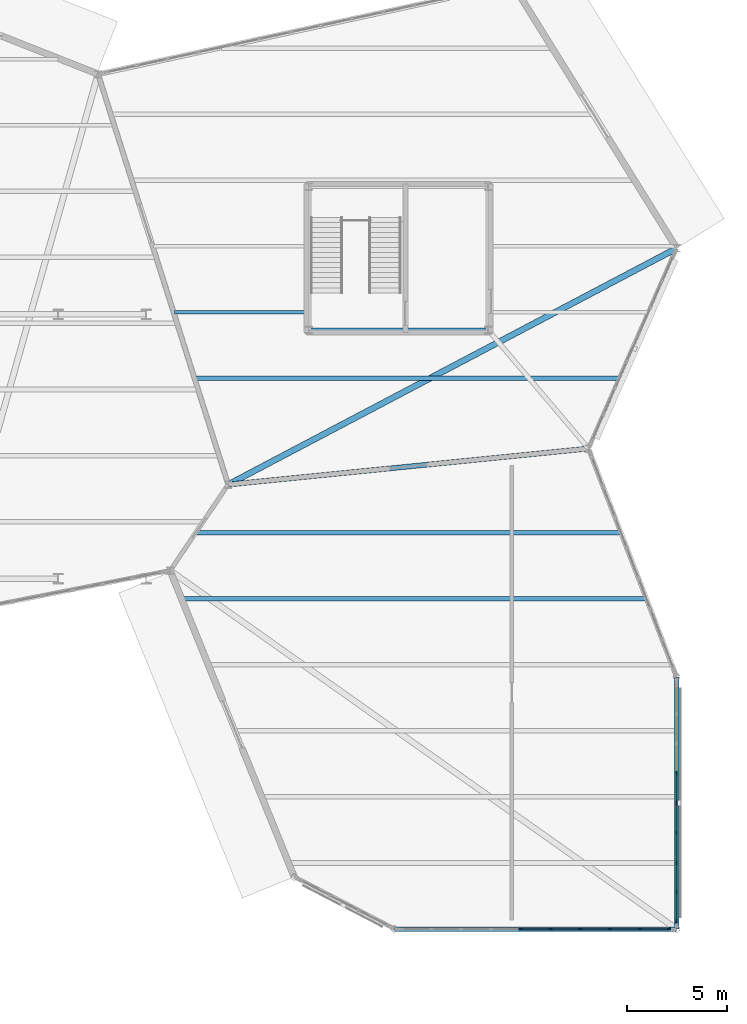
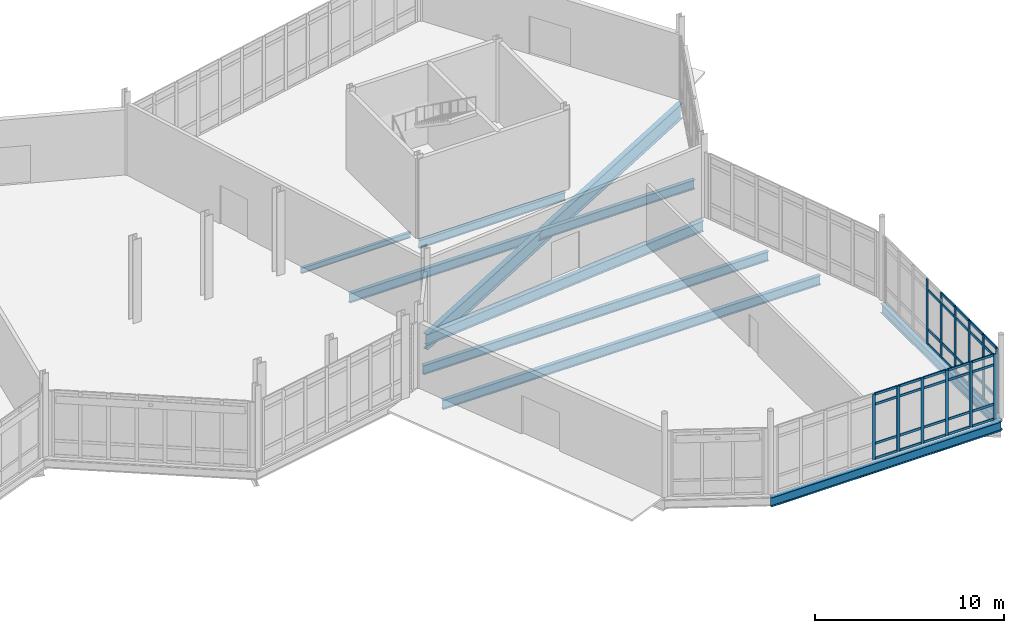
# One storey, part 56 of 113: 51 members, 9 beams, 2 elements without a shape of their own.
"""IFC4 building model written with IfcOpenShell, lengths in metres."""

from ifc_helpers import new_model, si_unit, direction, frame, origin, origin_2d, place, context, subcontext, project, spatial, rectangle, i_section, extrude, material, material_profile, profile_set, type_object, element, aggregate, save


model = new_model("IFC4")

# Units and contexts
model_context = context("Model", 3, precision=1e-05, world=origin(), true_north=direction((0.0, 1.0)))
body_context = subcontext(model_context, "Body", "Model", "MODEL_VIEW")
ifc_project = project(units=[si_unit("LENGTHUNIT", "METRE"), si_unit("AREAUNIT", "SQUARE_METRE"), si_unit("VOLUMEUNIT", "CUBIC_METRE"), si_unit("PLANEANGLEUNIT", "RADIAN"), si_unit("MASSUNIT", "GRAM", prefix="KILO")], contexts=[model_context])

# Site, building, storey
site_placement = place(None, origin())
site = spatial("IfcSite", under=ifc_project, at=site_placement, CompositionType="ELEMENT")
building_placement = place(site_placement, origin())
building = spatial("IfcBuilding", under=site, at=building_placement, Name="Tameran Prism Museum", CompositionType="ELEMENT")
storey_placement = place(building_placement, origin())
storey = spatial("IfcBuildingStorey", under=building, at=storey_placement, Name="L00", CompositionType="ELEMENT", Elevation=0.0)

# Beams
ifc_material_1 = material(Name="Steel Grade 300PLUS (300 MPa)", Category="steel")
ifc_material_profile_1 = material_profile(ifc_material_1, i_section(OverallWidth=0.1708984375, OverallDepth=0.35595703125, WebThickness=0.00732421875, FlangeThickness=0.011474609375, FilletRadius=0.011474609375, at=origin_2d()))
ifc_profile_set_1 = profile_set([ifc_material_profile_1])
beam_type_1 = type_object("IfcBeamType", Name="BM-J360B", PredefinedType="JOIST", material=ifc_profile_set_1)
beam_1_placement = place(storey_placement, frame((141.31494140625, 30.800048828125, -0.41796875), z_axis=(1.0, 0.0, 0.0), x_axis=(0.0, 1.0, 0.0)))
element("IfcBeam", 1, at=beam_1_placement, inside=storey, type_object=beam_type_1, Name="Floor Beam BM-0318", PredefinedType="JOIST", context=body_context, shape_type="SweptSolid", body=[
    extrude(i_section(OverallWidth=0.1708984375, OverallDepth=0.35595703125, WebThickness=0.00732421875, FlangeThickness=0.011474609375, FilletRadius=0.011474609375, at=origin_2d()), origin(), (0.0, 0.0, 1.0), 6.705078125),
])
ifc_material_2 = material(Name="Steel Grade 300PLUS (300 MPa)", Category="steel")
ifc_material_profile_2 = material_profile(ifc_material_2, i_section(OverallWidth=0.208984375, OverallDepth=0.528076171875, WebThickness=0.009521484375, FlangeThickness=0.01318359375, FilletRadius=0.013916015625, at=origin_2d()))
ifc_profile_set_2 = profile_set([ifc_material_profile_2])
beam_type_2 = type_object("IfcBeamType", Name="BM-SP530B", PredefinedType="SPANDREL", material=ifc_profile_set_2)
beam_2_placement = place(storey_placement, frame((148.02001953125, 29.919921875, -0.50390625), z_axis=(1.0, 0.0, 0.0), x_axis=(0.0, 1.0, 0.0)))
element("IfcBeam", 2, at=beam_2_placement, inside=storey, type_object=beam_type_2, Name="Core Ring Beam CTB-0150", PredefinedType="SPANDREL", context=body_context, shape_type="SweptSolid", body=[
    extrude(i_section(OverallWidth=0.208984375, OverallDepth=0.528076171875, WebThickness=0.009521484375, FlangeThickness=0.01318359375, FilletRadius=0.013916015625, at=origin_2d()), origin(), (0.0, 0.0, 1.0), 8.9599609375),
])
ifc_material_3 = material(Name="Steel Grade 300PLUS (300 MPa)", Category="steel")
ifc_material_profile_3 = material_profile(ifc_material_3, i_section(OverallWidth=0.22802734375, OverallDepth=0.60205078125, WebThickness=0.010498046875, FlangeThickness=0.014892578125, FilletRadius=0.013916015625, at=origin_2d()))
ifc_profile_set_3 = profile_set([ifc_material_profile_3])
beam_type_3 = type_object("IfcBeamType", Name="BM-SP610", PredefinedType="SPANDREL", material=ifc_profile_set_3)
beam_3_placement = place(storey_placement, frame((152.300048828125, 0.0, -0.541015625), z_axis=(1.0, 0.0, 0.0), x_axis=(0.0, 1.0, 0.0)))
element("IfcBeam", 3, at=beam_3_placement, inside=storey, type_object=beam_type_3, Name="Perimeter Spandrel SP-0050", PredefinedType="SPANDREL", context=body_context, shape_type="SweptSolid", body=[
    extrude(i_section(OverallWidth=0.22802734375, OverallDepth=0.60205078125, WebThickness=0.010498046875, FlangeThickness=0.014892578125, FilletRadius=0.013916015625, at=origin_2d()), origin(), (0.0, 0.0, 1.0), 14.099853515625),
])
beam_4_placement = place(storey_placement, frame((166.39990234375, 0.0, -0.541015625), z_axis=(0.0, 1.0, 0.0), x_axis=(-1.0, 0.0, 0.0)))
element("IfcBeam", 4, at=beam_4_placement, inside=storey, type_object=beam_type_3, Name="Perimeter Spandrel SP-0051", PredefinedType="SPANDREL", context=body_context, shape_type="SweptSolid", body=[
    extrude(i_section(OverallWidth=0.22802734375, OverallDepth=0.60205078125, WebThickness=0.010498046875, FlangeThickness=0.014892578125, FilletRadius=0.013916015625, at=origin_2d()), origin(), (0.0, 0.0, 1.0), 12.60009765625),
])
ifc_material_4 = material(Name="Steel Grade 350 (350 MPa)", Category="steel")
ifc_material_profile_4 = material_profile(ifc_material_4, i_section(OverallWidth=0.25, OverallDepth=0.699951171875, WebThickness=0.010009765625, FlangeThickness=0.02001953125, at=origin_2d()))
ifc_profile_set_4 = profile_set([ifc_material_profile_4])
beam_type_4 = type_object("IfcBeamType", Name="BM-SP700", PredefinedType="SPANDREL", material=ifc_profile_set_4)
beam_5_placement = place(storey_placement, frame((162.0, 24.0, -0.590087890625), z_axis=(-0.995036922958, -0.099506391506, 0.0), x_axis=(0.099506391506, -0.995036922958, 0.0)))
element("IfcBeam", 5, at=beam_5_placement, inside=storey, type_object=beam_type_4, Name="Perimeter Spandrel SP-0053", PredefinedType="SPANDREL", context=body_context, shape_type="SweptSolid", body=[
    extrude(i_section(OverallWidth=0.25, OverallDepth=0.699951171875, WebThickness=0.010009765625, FlangeThickness=0.02001953125, at=origin_2d()), origin(), (0.0, 0.0, 1.0), 18.08984375),
])
ifc_material_5 = material(Name="Steel Grade 300PLUS (300 MPa)", Category="steel")
ifc_material_profile_5 = material_profile(ifc_material_5, i_section(OverallWidth=0.22802734375, OverallDepth=0.60693359375, WebThickness=0.01123046875, FlangeThickness=0.017333984375, FilletRadius=0.013916015625, at=origin_2d()))
ifc_profile_set_5 = profile_set([ifc_material_profile_5])
beam_type_5 = type_object("IfcBeamType", Name="BM-UB610B", PredefinedType="BEAM", material=ifc_profile_set_5)
beam_6_placement = place(storey_placement, frame((141.7099609375, 16.5, -0.54345703125), z_axis=(1.0, 0.0, 0.0), x_axis=(0.0, 1.0, 0.0)))
element("IfcBeam", 6, at=beam_6_placement, inside=storey, type_object=beam_type_5, Name="Floor Beam BM-0251", PredefinedType="BEAM", context=body_context, shape_type="SweptSolid", body=[
    extrude(i_section(OverallWidth=0.22802734375, OverallDepth=0.60693359375, WebThickness=0.01123046875, FlangeThickness=0.017333984375, FilletRadius=0.013916015625, at=origin_2d()), origin(), (0.0, 0.0, 1.0), 23.14208984375),
])
beam_7_placement = place(storey_placement, frame((142.429931640625, 19.800048828125, -0.54345703125), z_axis=(1.0, 0.0, 0.0), x_axis=(0.0, 1.0, 0.0)))
element("IfcBeam", 7, at=beam_7_placement, inside=storey, type_object=beam_type_5, Name="Floor Beam BM-0252", PredefinedType="BEAM", context=body_context, shape_type="SweptSolid", body=[
    extrude(i_section(OverallWidth=0.22802734375, OverallDepth=0.60693359375, WebThickness=0.01123046875, FlangeThickness=0.017333984375, FilletRadius=0.013916015625, at=origin_2d()), origin(), (0.0, 0.0, 1.0), 21.14794921875),
])
beam_8_placement = place(storey_placement, frame((142.361083984375, 27.5, -0.54345703125), z_axis=(1.0, 0.0, 0.0), x_axis=(0.0, 1.0, 0.0)))
element("IfcBeam", 8, at=beam_8_placement, inside=storey, type_object=beam_type_5, Name="Floor Beam BM-0317", PredefinedType="BEAM", context=body_context, shape_type="SweptSolid", body=[
    extrude(i_section(OverallWidth=0.22802734375, OverallDepth=0.60693359375, WebThickness=0.01123046875, FlangeThickness=0.017333984375, FilletRadius=0.013916015625, at=origin_2d()), origin(), (0.0, 0.0, 1.0), 21.135009765625),
])
ifc_material_6 = material(Name="Steel Grade 350 (350 MPa)", Category="steel")
ifc_material_profile_6 = material_profile(ifc_material_6, i_section(OverallWidth=0.300048828125, OverallDepth=1.0, WebThickness=0.01611328125, FlangeThickness=0.031982421875, at=origin_2d()))
ifc_profile_set_6 = profile_set([ifc_material_profile_6])
beam_type_6 = type_object("IfcBeamType", Name="BM-WB1000", PredefinedType="BEAM", material=ifc_profile_set_6)
beam_9_placement = place(storey_placement, frame((144.0, 22.199951171875, -0.739990234375), z_axis=(0.88474517305, 0.466075078463, 0.0), x_axis=(-0.466075078463, 0.88474517305, 0.0)))
element("IfcBeam", 9, at=beam_9_placement, inside=storey, type_object=beam_type_6, Name="Primary Vertex Girder PG-0098", PredefinedType="BEAM", context=body_context, shape_type="SweptSolid", body=[
    extrude(i_section(OverallWidth=0.300048828125, OverallDepth=1.0, WebThickness=0.01611328125, FlangeThickness=0.031982421875, at=origin_2d()), origin(), (0.0, 0.0, 1.0), 25.31787109375),
])

# Curtain wall, members
ifc_material_7 = material(Name="Anodised Aluminium 6063-T6 and Cyclone Solar Glass", Category="aluminium")
curtain_wall_type_1 = type_object("IfcCurtainWallType", Name="CW-FAC-1340x422", PredefinedType="USERDEFINED", material=ifc_material_7)
curtain_wall_1_placement = place(storey_placement, origin())
curtain_wall_1 = element("IfcCurtainWall", 10, at=curtain_wall_1_placement, inside=storey, type_object=curtain_wall_type_1, Name="Unitised Curtain Wall CW-040", ObjectType="UNITISED CURTAIN WALL", PredefinedType="USERDEFINED")
ifc_material_8 = material(Name="Anodised Aluminium Alloy 6063-T6", Category="aluminium")
ifc_material_profile_7 = material_profile(ifc_material_8, rectangle(XDim=0.070068359375, YDim=0.179931640625, at=origin_2d()))
ifc_profile_set_7 = profile_set([ifc_material_profile_7])
member_type_1 = type_object("IfcMemberType", Name="CW-MUL-B", PredefinedType="MULLION", material=ifc_profile_set_7)
member_1_placement = place(storey_placement, frame((166.014892578125, 0.0, 0.0), z_axis=(0.0, 0.0, 1.0), x_axis=(0.0, -1.0, 0.0)))
member_1 = element("IfcMember", 11, at=member_1_placement, type_object=member_type_1, Name="CW-040 mullion 1", PredefinedType="MULLION", context=body_context, shape_type="SweptSolid", body=[
    extrude(rectangle(XDim=0.070068359375, YDim=0.179931640625, at=origin_2d()), origin(), (0.0, 0.0, 1.0), 4.219970703125),
])
member_2_placement = place(storey_placement, frame((164.56103515625, 0.0, 0.0), z_axis=(0.0, 0.0, 1.0), x_axis=(0.0, -1.0, 0.0)))
member_2 = element("IfcMember", 12, at=member_2_placement, type_object=member_type_1, Name="CW-040 mullion 2", PredefinedType="MULLION", context=body_context, shape_type="SweptSolid", body=[
    extrude(rectangle(XDim=0.070068359375, YDim=0.179931640625, at=origin_2d()), origin(), (0.0, 0.0, 1.0), 4.219970703125),
])
member_3_placement = place(storey_placement, frame((163.072265625, 0.0, 0.0), z_axis=(0.0, 0.0, 1.0), x_axis=(0.0, -1.0, 0.0)))
member_3 = element("IfcMember", 13, at=member_3_placement, type_object=member_type_1, Name="CW-040 mullion 3", PredefinedType="MULLION", context=body_context, shape_type="SweptSolid", body=[
    extrude(rectangle(XDim=0.070068359375, YDim=0.179931640625, at=origin_2d()), origin(), (0.0, 0.0, 1.0), 4.219970703125),
])
member_4_placement = place(storey_placement, frame((161.583251953125, 0.0, 0.0), z_axis=(0.0, 0.0, 1.0), x_axis=(0.0, -1.0, 0.0)))
member_4 = element("IfcMember", 14, at=member_4_placement, type_object=member_type_1, Name="CW-040 mullion 4", PredefinedType="MULLION", context=body_context, shape_type="SweptSolid", body=[
    extrude(rectangle(XDim=0.070068359375, YDim=0.179931640625, at=origin_2d()), origin(), (0.0, 0.0, 1.0), 4.219970703125),
])
member_5_placement = place(storey_placement, frame((160.094482421875, 0.0, 0.0), z_axis=(0.0, 0.0, 1.0), x_axis=(0.0, -1.0, 0.0)))
member_5 = element("IfcMember", 15, at=member_5_placement, type_object=member_type_1, Name="CW-040 mullion 5", PredefinedType="MULLION", context=body_context, shape_type="SweptSolid", body=[
    extrude(rectangle(XDim=0.070068359375, YDim=0.179931640625, at=origin_2d()), origin(), (0.0, 0.0, 1.0), 4.219970703125),
])
member_6_placement = place(storey_placement, frame((158.60546875, 0.0, 0.0), z_axis=(0.0, 0.0, 1.0), x_axis=(0.0, -1.0, 0.0)))
member_6 = element("IfcMember", 16, at=member_6_placement, type_object=member_type_1, Name="CW-040 mullion 6", PredefinedType="MULLION", context=body_context, shape_type="SweptSolid", body=[
    extrude(rectangle(XDim=0.070068359375, YDim=0.179931640625, at=origin_2d()), origin(), (0.0, 0.0, 1.0), 4.219970703125),
])

ifc_material_9 = material(Name="Anodised Aluminium 6063-T6 and Cyclone Solar Glass", Category="aluminium")
curtain_wall_type_2 = type_object("IfcCurtainWallType", Name="CW-FAC-1190x422", PredefinedType="USERDEFINED", material=ifc_material_9)
curtain_wall_2_placement = place(storey_placement, origin())
curtain_wall_2 = element("IfcCurtainWall", 17, at=curtain_wall_2_placement, inside=storey, type_object=curtain_wall_type_2, Name="Unitised Curtain Wall CW-041", ObjectType="UNITISED CURTAIN WALL", PredefinedType="USERDEFINED")
ifc_material_10 = material(Name="Anodised Aluminium Alloy 6063-T6", Category="aluminium")
ifc_material_profile_8 = material_profile(ifc_material_10, rectangle(XDim=0.074951171875, YDim=0.199951171875, at=origin_2d()))
ifc_profile_set_8 = profile_set([ifc_material_profile_8])
member_type_2 = type_object("IfcMemberType", Name="CW-MUL-C", PredefinedType="MULLION", material=ifc_profile_set_8)
member_7_placement = place(storey_placement, frame((166.39990234375, 7.78759765625, 0.0), z_axis=(0.0, 0.0, 1.0), x_axis=(1.0, 0.0, 0.0)))
member_7 = element("IfcMember", 18, at=member_7_placement, type_object=member_type_2, Name="CW-041 mullion 4", PredefinedType="MULLION", context=body_context, shape_type="SweptSolid", body=[
    extrude(rectangle(XDim=0.074951171875, YDim=0.199951171875, at=origin_2d()), origin(), (0.0, 0.0, 1.0), 4.219970703125),
])
member_8_placement = place(storey_placement, frame((166.39990234375, 6.300048828125, 0.0), z_axis=(0.0, 0.0, 1.0), x_axis=(1.0, 0.0, 0.0)))
member_8 = element("IfcMember", 19, at=member_8_placement, type_object=member_type_2, Name="CW-041 mullion 5", PredefinedType="MULLION", context=body_context, shape_type="SweptSolid", body=[
    extrude(rectangle(XDim=0.074951171875, YDim=0.199951171875, at=origin_2d()), origin(), (0.0, 0.0, 1.0), 4.219970703125),
])
member_9_placement = place(storey_placement, frame((166.39990234375, 4.8125, 0.0), z_axis=(0.0, 0.0, 1.0), x_axis=(1.0, 0.0, 0.0)))
member_9 = element("IfcMember", 20, at=member_9_placement, type_object=member_type_2, Name="CW-041 mullion 6", PredefinedType="MULLION", context=body_context, shape_type="SweptSolid", body=[
    extrude(rectangle(XDim=0.074951171875, YDim=0.199951171875, at=origin_2d()), origin(), (0.0, 0.0, 1.0), 4.219970703125),
])
member_10_placement = place(storey_placement, frame((166.39990234375, 3.324951171875, 0.0), z_axis=(0.0, 0.0, 1.0), x_axis=(1.0, 0.0, 0.0)))
member_10 = element("IfcMember", 21, at=member_10_placement, type_object=member_type_2, Name="CW-041 mullion 7", PredefinedType="MULLION", context=body_context, shape_type="SweptSolid", body=[
    extrude(rectangle(XDim=0.074951171875, YDim=0.199951171875, at=origin_2d()), origin(), (0.0, 0.0, 1.0), 4.219970703125),
])
member_11_placement = place(storey_placement, frame((166.39990234375, 1.83740234375, 0.0), z_axis=(0.0, 0.0, 1.0), x_axis=(1.0, 0.0, 0.0)))
member_11 = element("IfcMember", 22, at=member_11_placement, type_object=member_type_2, Name="CW-041 mullion 8", PredefinedType="MULLION", context=body_context, shape_type="SweptSolid", body=[
    extrude(rectangle(XDim=0.074951171875, YDim=0.199951171875, at=origin_2d()), origin(), (0.0, 0.0, 1.0), 4.219970703125),
])
member_12_placement = place(storey_placement, frame((166.39990234375, 0.387451171875, 0.0), z_axis=(0.0, 0.0, 1.0), x_axis=(1.0, 0.0, 0.0)))
member_12 = element("IfcMember", 23, at=member_12_placement, type_object=member_type_2, Name="CW-041 mullion 9", PredefinedType="MULLION", context=body_context, shape_type="SweptSolid", body=[
    extrude(rectangle(XDim=0.074951171875, YDim=0.199951171875, at=origin_2d()), origin(), (0.0, 0.0, 1.0), 4.219970703125),
])

# Member
ifc_material_11 = material(Name="Anodised Aluminium Alloy 6063-T6", Category="aluminium")
ifc_material_profile_9 = material_profile(ifc_material_11, rectangle(XDim=0.070068359375, YDim=0.155029296875, at=origin_2d()))
ifc_profile_set_9 = profile_set([ifc_material_profile_9])
member_type_3 = type_object("IfcMemberType", Name="CW-TRN-B", PredefinedType="USERDEFINED", material=ifc_profile_set_9)
member_13_placement = place(storey_placement, frame((165.97998046875, 0.0, 0.034912109375), z_axis=(-1.0, 0.0, 0.0), x_axis=(0.0, -1.0, 0.0)))
member_13 = element("IfcMember", 24, at=member_13_placement, type_object=member_type_3, Name="CW-040 transom 1.1", ObjectType="TRANSOM", PredefinedType="USERDEFINED", context=body_context, shape_type="SweptSolid", body=[
    extrude(rectangle(XDim=0.070068359375, YDim=0.155029296875, at=origin_2d()), origin(), (0.0, 0.0, 1.0), 1.3837890625),
])

member_14_placement = place(storey_placement, frame((165.97998046875, 0.0, 1.0), z_axis=(-1.0, 0.0, 0.0), x_axis=(0.0, -1.0, 0.0)))
member_14 = element("IfcMember", 25, at=member_14_placement, type_object=member_type_3, Name="CW-040 transom 1.2", ObjectType="TRANSOM", PredefinedType="USERDEFINED", context=body_context, shape_type="SweptSolid", body=[
    extrude(rectangle(XDim=0.070068359375, YDim=0.155029296875, at=origin_2d()), origin(), (0.0, 0.0, 1.0), 1.3837890625),
])

member_15_placement = place(storey_placement, frame((165.97998046875, 0.0, 3.5400390625), z_axis=(-1.0, 0.0, 0.0), x_axis=(0.0, -1.0, 0.0)))
member_15 = element("IfcMember", 26, at=member_15_placement, type_object=member_type_3, Name="CW-040 transom 1.3", ObjectType="TRANSOM", PredefinedType="USERDEFINED", context=body_context, shape_type="SweptSolid", body=[
    extrude(rectangle(XDim=0.070068359375, YDim=0.155029296875, at=origin_2d()), origin(), (0.0, 0.0, 1.0), 1.3837890625),
])

member_16_placement = place(storey_placement, frame((165.97998046875, 0.0, 4.18505859375), z_axis=(-1.0, 0.0, 0.0), x_axis=(0.0, -1.0, 0.0)))
member_16 = element("IfcMember", 27, at=member_16_placement, type_object=member_type_3, Name="CW-040 transom 1.4", ObjectType="TRANSOM", PredefinedType="USERDEFINED", context=body_context, shape_type="SweptSolid", body=[
    extrude(rectangle(XDim=0.070068359375, YDim=0.155029296875, at=origin_2d()), origin(), (0.0, 0.0, 1.0), 1.3837890625),
])

member_17_placement = place(storey_placement, frame((164.526123046875, 0.0, 0.034912109375), z_axis=(-1.0, 0.0, 0.0), x_axis=(0.0, -1.0, 0.0)))
member_17 = element("IfcMember", 28, at=member_17_placement, type_object=member_type_3, Name="CW-040 transom 2.1", ObjectType="TRANSOM", PredefinedType="USERDEFINED", context=body_context, shape_type="SweptSolid", body=[
    extrude(rectangle(XDim=0.070068359375, YDim=0.155029296875, at=origin_2d()), origin(), (0.0, 0.0, 1.0), 1.4189453125),
])

member_18_placement = place(storey_placement, frame((164.526123046875, 0.0, 1.0), z_axis=(-1.0, 0.0, 0.0), x_axis=(0.0, -1.0, 0.0)))
member_18 = element("IfcMember", 29, at=member_18_placement, type_object=member_type_3, Name="CW-040 transom 2.2", ObjectType="TRANSOM", PredefinedType="USERDEFINED", context=body_context, shape_type="SweptSolid", body=[
    extrude(rectangle(XDim=0.070068359375, YDim=0.155029296875, at=origin_2d()), origin(), (0.0, 0.0, 1.0), 1.4189453125),
])

member_19_placement = place(storey_placement, frame((164.526123046875, 0.0, 3.5400390625), z_axis=(-1.0, 0.0, 0.0), x_axis=(0.0, -1.0, 0.0)))
member_19 = element("IfcMember", 30, at=member_19_placement, type_object=member_type_3, Name="CW-040 transom 2.3", ObjectType="TRANSOM", PredefinedType="USERDEFINED", context=body_context, shape_type="SweptSolid", body=[
    extrude(rectangle(XDim=0.070068359375, YDim=0.155029296875, at=origin_2d()), origin(), (0.0, 0.0, 1.0), 1.4189453125),
])

member_20_placement = place(storey_placement, frame((164.526123046875, 0.0, 4.18505859375), z_axis=(-1.0, 0.0, 0.0), x_axis=(0.0, -1.0, 0.0)))
member_20 = element("IfcMember", 31, at=member_20_placement, type_object=member_type_3, Name="CW-040 transom 2.4", ObjectType="TRANSOM", PredefinedType="USERDEFINED", context=body_context, shape_type="SweptSolid", body=[
    extrude(rectangle(XDim=0.070068359375, YDim=0.155029296875, at=origin_2d()), origin(), (0.0, 0.0, 1.0), 1.4189453125),
])

member_21_placement = place(storey_placement, frame((163.037109375, 0.0, 0.034912109375), z_axis=(-1.0, 0.0, 0.0), x_axis=(0.0, -1.0, 0.0)))
member_21 = element("IfcMember", 32, at=member_21_placement, type_object=member_type_3, Name="CW-040 transom 3.1", ObjectType="TRANSOM", PredefinedType="USERDEFINED", context=body_context, shape_type="SweptSolid", body=[
    extrude(rectangle(XDim=0.070068359375, YDim=0.155029296875, at=origin_2d()), origin(), (0.0, 0.0, 1.0), 1.418701171875),
])

member_22_placement = place(storey_placement, frame((163.037109375, 0.0, 1.0), z_axis=(-1.0, 0.0, 0.0), x_axis=(0.0, -1.0, 0.0)))
member_22 = element("IfcMember", 33, at=member_22_placement, type_object=member_type_3, Name="CW-040 transom 3.2", ObjectType="TRANSOM", PredefinedType="USERDEFINED", context=body_context, shape_type="SweptSolid", body=[
    extrude(rectangle(XDim=0.070068359375, YDim=0.155029296875, at=origin_2d()), origin(), (0.0, 0.0, 1.0), 1.418701171875),
])

member_23_placement = place(storey_placement, frame((163.037109375, 0.0, 3.5400390625), z_axis=(-1.0, 0.0, 0.0), x_axis=(0.0, -1.0, 0.0)))
member_23 = element("IfcMember", 34, at=member_23_placement, type_object=member_type_3, Name="CW-040 transom 3.3", ObjectType="TRANSOM", PredefinedType="USERDEFINED", context=body_context, shape_type="SweptSolid", body=[
    extrude(rectangle(XDim=0.070068359375, YDim=0.155029296875, at=origin_2d()), origin(), (0.0, 0.0, 1.0), 1.418701171875),
])

member_24_placement = place(storey_placement, frame((163.037109375, 0.0, 4.18505859375), z_axis=(-1.0, 0.0, 0.0), x_axis=(0.0, -1.0, 0.0)))
member_24 = element("IfcMember", 35, at=member_24_placement, type_object=member_type_3, Name="CW-040 transom 3.4", ObjectType="TRANSOM", PredefinedType="USERDEFINED", context=body_context, shape_type="SweptSolid", body=[
    extrude(rectangle(XDim=0.070068359375, YDim=0.155029296875, at=origin_2d()), origin(), (0.0, 0.0, 1.0), 1.418701171875),
])

member_25_placement = place(storey_placement, frame((161.54833984375, 0.0, 0.034912109375), z_axis=(-1.0, 0.0, 0.0), x_axis=(0.0, -1.0, 0.0)))
member_25 = element("IfcMember", 36, at=member_25_placement, type_object=member_type_3, Name="CW-040 transom 4.1", ObjectType="TRANSOM", PredefinedType="USERDEFINED", context=body_context, shape_type="SweptSolid", body=[
    extrude(rectangle(XDim=0.070068359375, YDim=0.155029296875, at=origin_2d()), origin(), (0.0, 0.0, 1.0), 1.4189453125),
])

member_26_placement = place(storey_placement, frame((161.54833984375, 0.0, 1.0), z_axis=(-1.0, 0.0, 0.0), x_axis=(0.0, -1.0, 0.0)))
member_26 = element("IfcMember", 37, at=member_26_placement, type_object=member_type_3, Name="CW-040 transom 4.2", ObjectType="TRANSOM", PredefinedType="USERDEFINED", context=body_context, shape_type="SweptSolid", body=[
    extrude(rectangle(XDim=0.070068359375, YDim=0.155029296875, at=origin_2d()), origin(), (0.0, 0.0, 1.0), 1.4189453125),
])

member_27_placement = place(storey_placement, frame((161.54833984375, 0.0, 3.5400390625), z_axis=(-1.0, 0.0, 0.0), x_axis=(0.0, -1.0, 0.0)))
member_27 = element("IfcMember", 38, at=member_27_placement, type_object=member_type_3, Name="CW-040 transom 4.3", ObjectType="TRANSOM", PredefinedType="USERDEFINED", context=body_context, shape_type="SweptSolid", body=[
    extrude(rectangle(XDim=0.070068359375, YDim=0.155029296875, at=origin_2d()), origin(), (0.0, 0.0, 1.0), 1.4189453125),
])

member_28_placement = place(storey_placement, frame((161.54833984375, 0.0, 4.18505859375), z_axis=(-1.0, 0.0, 0.0), x_axis=(0.0, -1.0, 0.0)))
member_28 = element("IfcMember", 39, at=member_28_placement, type_object=member_type_3, Name="CW-040 transom 4.4", ObjectType="TRANSOM", PredefinedType="USERDEFINED", context=body_context, shape_type="SweptSolid", body=[
    extrude(rectangle(XDim=0.070068359375, YDim=0.155029296875, at=origin_2d()), origin(), (0.0, 0.0, 1.0), 1.4189453125),
])

member_29_placement = place(storey_placement, frame((160.059326171875, 0.0, 0.034912109375), z_axis=(-1.0, 0.0, 0.0), x_axis=(0.0, -1.0, 0.0)))
member_29 = element("IfcMember", 40, at=member_29_placement, type_object=member_type_3, Name="CW-040 transom 5.1", ObjectType="TRANSOM", PredefinedType="USERDEFINED", context=body_context, shape_type="SweptSolid", body=[
    extrude(rectangle(XDim=0.070068359375, YDim=0.155029296875, at=origin_2d()), origin(), (0.0, 0.0, 1.0), 1.418701171875),
])

member_30_placement = place(storey_placement, frame((160.059326171875, 0.0, 1.0), z_axis=(-1.0, 0.0, 0.0), x_axis=(0.0, -1.0, 0.0)))
member_30 = element("IfcMember", 41, at=member_30_placement, type_object=member_type_3, Name="CW-040 transom 5.2", ObjectType="TRANSOM", PredefinedType="USERDEFINED", context=body_context, shape_type="SweptSolid", body=[
    extrude(rectangle(XDim=0.070068359375, YDim=0.155029296875, at=origin_2d()), origin(), (0.0, 0.0, 1.0), 1.418701171875),
])

member_31_placement = place(storey_placement, frame((160.059326171875, 0.0, 3.5400390625), z_axis=(-1.0, 0.0, 0.0), x_axis=(0.0, -1.0, 0.0)))
member_31 = element("IfcMember", 42, at=member_31_placement, type_object=member_type_3, Name="CW-040 transom 5.3", ObjectType="TRANSOM", PredefinedType="USERDEFINED", context=body_context, shape_type="SweptSolid", body=[
    extrude(rectangle(XDim=0.070068359375, YDim=0.155029296875, at=origin_2d()), origin(), (0.0, 0.0, 1.0), 1.418701171875),
])

member_32_placement = place(storey_placement, frame((160.059326171875, 0.0, 4.18505859375), z_axis=(-1.0, 0.0, 0.0), x_axis=(0.0, -1.0, 0.0)))
member_32 = element("IfcMember", 43, at=member_32_placement, type_object=member_type_3, Name="CW-040 transom 5.4", ObjectType="TRANSOM", PredefinedType="USERDEFINED", context=body_context, shape_type="SweptSolid", body=[
    extrude(rectangle(XDim=0.070068359375, YDim=0.155029296875, at=origin_2d()), origin(), (0.0, 0.0, 1.0), 1.418701171875),
])

aggregate(curtain_wall_1, [member_1, member_2, member_3, member_4, member_5, member_6, member_13, member_14, member_15, member_16, member_17, member_18, member_19, member_20, member_21, member_22, member_23, member_24, member_25, member_26, member_27, member_28, member_29, member_30, member_31, member_32])

ifc_material_12 = material(Name="Anodised Aluminium Alloy 6063-T6", Category="aluminium")
ifc_material_profile_10 = material_profile(ifc_material_12, rectangle(XDim=0.074951171875, YDim=0.175048828125, at=origin_2d()))
ifc_profile_set_10 = profile_set([ifc_material_profile_10])
member_type_4 = type_object("IfcMemberType", Name="CW-TRN-C", PredefinedType="USERDEFINED", material=ifc_profile_set_10)
member_33_placement = place(storey_placement, frame((166.39990234375, 7.75, 0.03759765625), z_axis=(0.0, -1.0, 0.0), x_axis=(1.0, 0.0, 0.0)))
member_33 = element("IfcMember", 44, at=member_33_placement, type_object=member_type_4, Name="CW-041 transom 4.1", ObjectType="TRANSOM", PredefinedType="USERDEFINED", context=body_context, shape_type="SweptSolid", body=[
    extrude(rectangle(XDim=0.074951171875, YDim=0.175048828125, at=origin_2d()), origin(), (0.0, 0.0, 1.0), 1.41259765625),
])

member_34_placement = place(storey_placement, frame((166.39990234375, 7.75, 1.0), z_axis=(0.0, -1.0, 0.0), x_axis=(1.0, 0.0, 0.0)))
member_34 = element("IfcMember", 45, at=member_34_placement, type_object=member_type_4, Name="CW-041 transom 4.2", ObjectType="TRANSOM", PredefinedType="USERDEFINED", context=body_context, shape_type="SweptSolid", body=[
    extrude(rectangle(XDim=0.074951171875, YDim=0.175048828125, at=origin_2d()), origin(), (0.0, 0.0, 1.0), 1.41259765625),
])

member_35_placement = place(storey_placement, frame((166.39990234375, 7.75, 3.5400390625), z_axis=(0.0, -1.0, 0.0), x_axis=(1.0, 0.0, 0.0)))
member_35 = element("IfcMember", 46, at=member_35_placement, type_object=member_type_4, Name="CW-041 transom 4.3", ObjectType="TRANSOM", PredefinedType="USERDEFINED", context=body_context, shape_type="SweptSolid", body=[
    extrude(rectangle(XDim=0.074951171875, YDim=0.175048828125, at=origin_2d()), origin(), (0.0, 0.0, 1.0), 1.41259765625),
])

member_36_placement = place(storey_placement, frame((166.39990234375, 6.262451171875, 0.03759765625), z_axis=(0.0, -1.0, 0.0), x_axis=(1.0, 0.0, 0.0)))
member_36 = element("IfcMember", 47, at=member_36_placement, type_object=member_type_4, Name="CW-041 transom 5.1", ObjectType="TRANSOM", PredefinedType="USERDEFINED", context=body_context, shape_type="SweptSolid", body=[
    extrude(rectangle(XDim=0.074951171875, YDim=0.175048828125, at=origin_2d()), origin(), (0.0, 0.0, 1.0), 1.412353515625),
])

member_37_placement = place(storey_placement, frame((166.39990234375, 6.262451171875, 1.0), z_axis=(0.0, -1.0, 0.0), x_axis=(1.0, 0.0, 0.0)))
member_37 = element("IfcMember", 48, at=member_37_placement, type_object=member_type_4, Name="CW-041 transom 5.2", ObjectType="TRANSOM", PredefinedType="USERDEFINED", context=body_context, shape_type="SweptSolid", body=[
    extrude(rectangle(XDim=0.074951171875, YDim=0.175048828125, at=origin_2d()), origin(), (0.0, 0.0, 1.0), 1.412353515625),
])

member_38_placement = place(storey_placement, frame((166.39990234375, 6.262451171875, 3.5400390625), z_axis=(0.0, -1.0, 0.0), x_axis=(1.0, 0.0, 0.0)))
member_38 = element("IfcMember", 49, at=member_38_placement, type_object=member_type_4, Name="CW-041 transom 5.3", ObjectType="TRANSOM", PredefinedType="USERDEFINED", context=body_context, shape_type="SweptSolid", body=[
    extrude(rectangle(XDim=0.074951171875, YDim=0.175048828125, at=origin_2d()), origin(), (0.0, 0.0, 1.0), 1.412353515625),
])

member_39_placement = place(storey_placement, frame((166.39990234375, 6.262451171875, 4.1826171875), z_axis=(0.0, -1.0, 0.0), x_axis=(1.0, 0.0, 0.0)))
member_39 = element("IfcMember", 50, at=member_39_placement, type_object=member_type_4, Name="CW-041 transom 5.4", ObjectType="TRANSOM", PredefinedType="USERDEFINED", context=body_context, shape_type="SweptSolid", body=[
    extrude(rectangle(XDim=0.074951171875, YDim=0.175048828125, at=origin_2d()), origin(), (0.0, 0.0, 1.0), 1.412353515625),
])

member_40_placement = place(storey_placement, frame((166.39990234375, 4.77490234375, 0.03759765625), z_axis=(0.0, -1.0, 0.0), x_axis=(1.0, 0.0, 0.0)))
member_40 = element("IfcMember", 51, at=member_40_placement, type_object=member_type_4, Name="CW-041 transom 6.1", ObjectType="TRANSOM", PredefinedType="USERDEFINED", context=body_context, shape_type="SweptSolid", body=[
    extrude(rectangle(XDim=0.074951171875, YDim=0.175048828125, at=origin_2d()), origin(), (0.0, 0.0, 1.0), 1.412353515625),
])

member_41_placement = place(storey_placement, frame((166.39990234375, 4.77490234375, 1.0), z_axis=(0.0, -1.0, 0.0), x_axis=(1.0, 0.0, 0.0)))
member_41 = element("IfcMember", 52, at=member_41_placement, type_object=member_type_4, Name="CW-041 transom 6.2", ObjectType="TRANSOM", PredefinedType="USERDEFINED", context=body_context, shape_type="SweptSolid", body=[
    extrude(rectangle(XDim=0.074951171875, YDim=0.175048828125, at=origin_2d()), origin(), (0.0, 0.0, 1.0), 1.412353515625),
])

member_42_placement = place(storey_placement, frame((166.39990234375, 4.77490234375, 3.5400390625), z_axis=(0.0, -1.0, 0.0), x_axis=(1.0, 0.0, 0.0)))
member_42 = element("IfcMember", 53, at=member_42_placement, type_object=member_type_4, Name="CW-041 transom 6.3", ObjectType="TRANSOM", PredefinedType="USERDEFINED", context=body_context, shape_type="SweptSolid", body=[
    extrude(rectangle(XDim=0.074951171875, YDim=0.175048828125, at=origin_2d()), origin(), (0.0, 0.0, 1.0), 1.412353515625),
])

member_43_placement = place(storey_placement, frame((166.39990234375, 4.77490234375, 4.1826171875), z_axis=(0.0, -1.0, 0.0), x_axis=(1.0, 0.0, 0.0)))
member_43 = element("IfcMember", 54, at=member_43_placement, type_object=member_type_4, Name="CW-041 transom 6.4", ObjectType="TRANSOM", PredefinedType="USERDEFINED", context=body_context, shape_type="SweptSolid", body=[
    extrude(rectangle(XDim=0.074951171875, YDim=0.175048828125, at=origin_2d()), origin(), (0.0, 0.0, 1.0), 1.412353515625),
])

member_44_placement = place(storey_placement, frame((166.39990234375, 3.28759765625, 0.03759765625), z_axis=(0.0, -1.0, 0.0), x_axis=(1.0, 0.0, 0.0)))
member_44 = element("IfcMember", 55, at=member_44_placement, type_object=member_type_4, Name="CW-041 transom 7.1", ObjectType="TRANSOM", PredefinedType="USERDEFINED", context=body_context, shape_type="SweptSolid", body=[
    extrude(rectangle(XDim=0.074951171875, YDim=0.175048828125, at=origin_2d()), origin(), (0.0, 0.0, 1.0), 1.41259765625),
])

member_45_placement = place(storey_placement, frame((166.39990234375, 3.28759765625, 1.0), z_axis=(0.0, -1.0, 0.0), x_axis=(1.0, 0.0, 0.0)))
member_45 = element("IfcMember", 56, at=member_45_placement, type_object=member_type_4, Name="CW-041 transom 7.2", ObjectType="TRANSOM", PredefinedType="USERDEFINED", context=body_context, shape_type="SweptSolid", body=[
    extrude(rectangle(XDim=0.074951171875, YDim=0.175048828125, at=origin_2d()), origin(), (0.0, 0.0, 1.0), 1.41259765625),
])

member_46_placement = place(storey_placement, frame((166.39990234375, 3.28759765625, 3.5400390625), z_axis=(0.0, -1.0, 0.0), x_axis=(1.0, 0.0, 0.0)))
member_46 = element("IfcMember", 57, at=member_46_placement, type_object=member_type_4, Name="CW-041 transom 7.3", ObjectType="TRANSOM", PredefinedType="USERDEFINED", context=body_context, shape_type="SweptSolid", body=[
    extrude(rectangle(XDim=0.074951171875, YDim=0.175048828125, at=origin_2d()), origin(), (0.0, 0.0, 1.0), 1.41259765625),
])

member_47_placement = place(storey_placement, frame((166.39990234375, 3.28759765625, 4.1826171875), z_axis=(0.0, -1.0, 0.0), x_axis=(1.0, 0.0, 0.0)))
member_47 = element("IfcMember", 58, at=member_47_placement, type_object=member_type_4, Name="CW-041 transom 7.4", ObjectType="TRANSOM", PredefinedType="USERDEFINED", context=body_context, shape_type="SweptSolid", body=[
    extrude(rectangle(XDim=0.074951171875, YDim=0.175048828125, at=origin_2d()), origin(), (0.0, 0.0, 1.0), 1.41259765625),
])

member_48_placement = place(storey_placement, frame((166.39990234375, 1.800048828125, 0.03759765625), z_axis=(0.0, -1.0, 0.0), x_axis=(1.0, 0.0, 0.0)))
member_48 = element("IfcMember", 59, at=member_48_placement, type_object=member_type_4, Name="CW-041 transom 8.1", ObjectType="TRANSOM", PredefinedType="USERDEFINED", context=body_context, shape_type="SweptSolid", body=[
    extrude(rectangle(XDim=0.074951171875, YDim=0.175048828125, at=origin_2d()), origin(), (0.0, 0.0, 1.0), 1.375),
])

member_49_placement = place(storey_placement, frame((166.39990234375, 1.800048828125, 1.0), z_axis=(0.0, -1.0, 0.0), x_axis=(1.0, 0.0, 0.0)))
member_49 = element("IfcMember", 60, at=member_49_placement, type_object=member_type_4, Name="CW-041 transom 8.2", ObjectType="TRANSOM", PredefinedType="USERDEFINED", context=body_context, shape_type="SweptSolid", body=[
    extrude(rectangle(XDim=0.074951171875, YDim=0.175048828125, at=origin_2d()), origin(), (0.0, 0.0, 1.0), 1.375),
])

member_50_placement = place(storey_placement, frame((166.39990234375, 1.800048828125, 3.5400390625), z_axis=(0.0, -1.0, 0.0), x_axis=(1.0, 0.0, 0.0)))
member_50 = element("IfcMember", 61, at=member_50_placement, type_object=member_type_4, Name="CW-041 transom 8.3", ObjectType="TRANSOM", PredefinedType="USERDEFINED", context=body_context, shape_type="SweptSolid", body=[
    extrude(rectangle(XDim=0.074951171875, YDim=0.175048828125, at=origin_2d()), origin(), (0.0, 0.0, 1.0), 1.375),
])

member_51_placement = place(storey_placement, frame((166.39990234375, 1.800048828125, 4.1826171875), z_axis=(0.0, -1.0, 0.0), x_axis=(1.0, 0.0, 0.0)))
member_51 = element("IfcMember", 62, at=member_51_placement, type_object=member_type_4, Name="CW-041 transom 8.4", ObjectType="TRANSOM", PredefinedType="USERDEFINED", context=body_context, shape_type="SweptSolid", body=[
    extrude(rectangle(XDim=0.074951171875, YDim=0.175048828125, at=origin_2d()), origin(), (0.0, 0.0, 1.0), 1.375),
])

aggregate(curtain_wall_2, [member_7, member_8, member_9, member_10, member_11, member_12, member_33, member_34, member_35, member_36, member_37, member_38, member_39, member_40, member_41, member_42, member_43, member_44, member_45, member_46, member_47, member_48, member_49, member_50, member_51])

save(model, "model.ifc")
